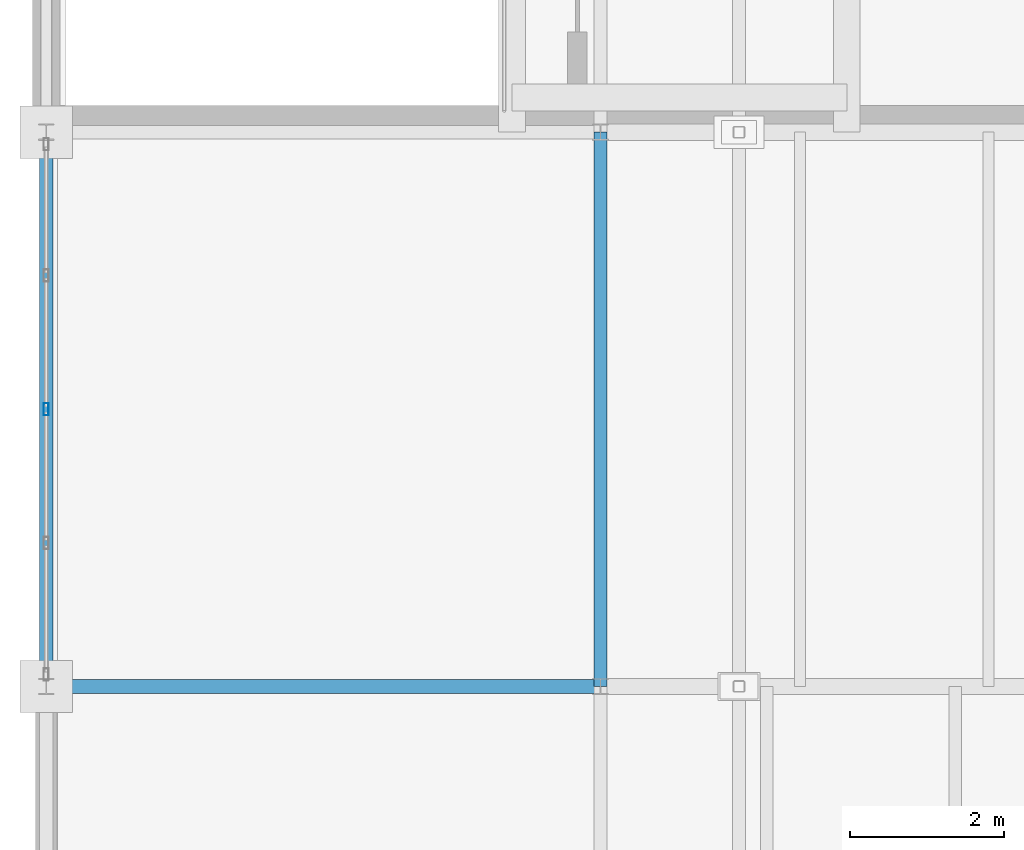
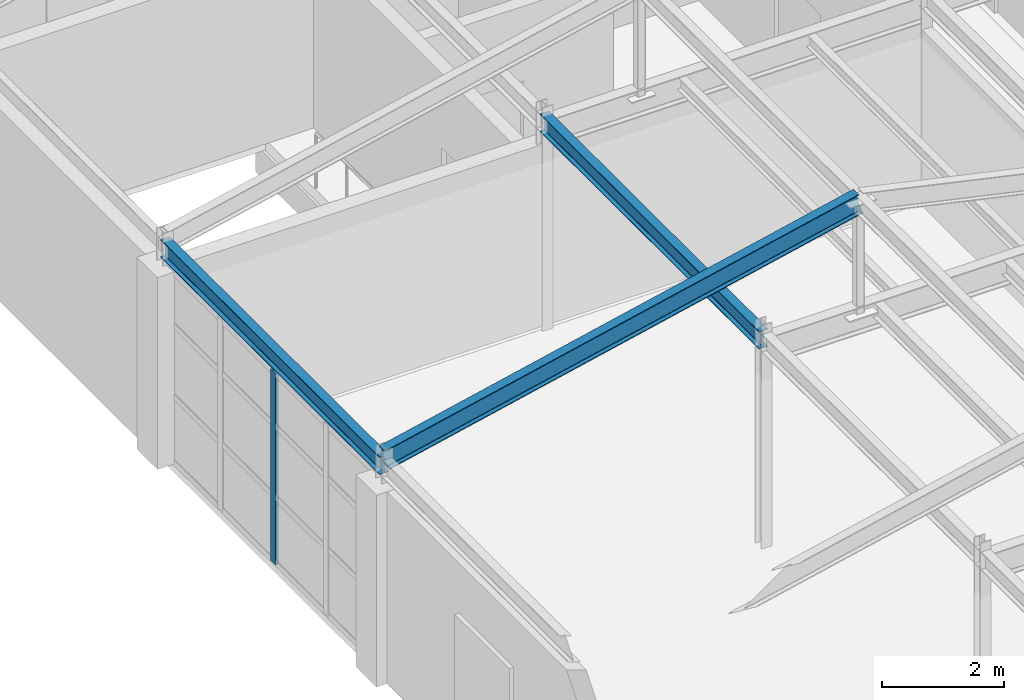
# One storey, part 24 of 43: 3 beams, 1 member, 1 element without a shape of its own.
"""IFC4 building model written with IfcOpenShell, lengths in metres."""

from ifc_helpers import new_model, si_unit, direction, frame, origin, origin_2d, place, context, subcontext, project, spatial, hollow_rectangle, i_section, extrude, material, layer, layer_set, material_profile, profile_set, type_object, element, aggregate, save


model = new_model("IFC4")

# Units and contexts
model_context = context("Model", 3, precision=1e-05, world=origin(), true_north=direction((0.0, 1.0)))
body_context = subcontext(model_context, "Body", "Model", "MODEL_VIEW")
ifc_project = project(units=[si_unit("LENGTHUNIT", "METRE"), si_unit("AREAUNIT", "SQUARE_METRE"), si_unit("VOLUMEUNIT", "CUBIC_METRE"), si_unit("PLANEANGLEUNIT", "RADIAN"), si_unit("MASSUNIT", "GRAM", prefix="KILO")], contexts=[model_context])

# Site, building, storey
site_placement = place(None, origin())
site = spatial("IfcSite", under=ifc_project, at=site_placement, CompositionType="ELEMENT")
building_placement = place(site_placement, origin())
building = spatial("IfcBuilding", under=site, at=building_placement, Name="Kemerveld Promenade Tramway Depot", CompositionType="ELEMENT")
storey_placement = place(building_placement, frame((0.0, 0.0, 18.89990234375)))
storey = spatial("IfcBuildingStorey", under=building, at=storey_placement, Name="L04", CompositionType="ELEMENT", Elevation=18.89990234375)

# Beams
ifc_material_1 = material(Name="Steel S355", Category="steel")
ifc_material_profile_1 = material_profile(ifc_material_1, i_section(OverallWidth=0.1787109375, OverallDepth=0.409423828125, WebThickness=0.0087890625, FlangeThickness=0.014404296875, FilletRadius=0.01025390625, at=origin_2d()), Name="406x178x67 UB")
ifc_profile_set_1 = profile_set([ifc_material_profile_1], Name="Steel S355")
beam_type_1 = type_object("IfcBeamType", Name="BM-G07", PredefinedType="BEAM", material=ifc_profile_set_1)
beam_placement = place(storey_placement, frame((0.0, 36.0, 4.275390625), z_axis=(0.976187060184, 0.0, 0.216930457819), x_axis=(0.0, 1.0, 0.0)))
element("IfcBeam", 1, at=beam_placement, inside=storey, type_object=beam_type_1, Name="RAF-V5-F-W", PredefinedType="BEAM", context=body_context, shape_type="SweptSolid", body=[
    extrude(i_section(OverallWidth=0.1787109375, OverallDepth=0.409423828125, WebThickness=0.0087890625, FlangeThickness=0.014404296875, FilletRadius=0.01025390625, at=origin_2d()), origin(), (0.0, 0.0, 1.0), 9.219482421875),
])
ifc_material_profile_2 = material_profile(ifc_material_1, i_section(OverallWidth=0.172119140625, OverallDepth=0.35791015625, WebThickness=0.008056640625, FlangeThickness=0.012939453125, FilletRadius=0.01025390625, at=origin_2d()), Name="356x171x57 UB")
ifc_profile_set_2 = profile_set([ifc_material_profile_2], Name="Steel S355")
beam_type_2 = type_object("IfcBeamType", Name="BM-G08", PredefinedType="BEAM", material=ifc_profile_set_2)
for number, where, z_axis, x_axis, name in (
    (2, (0.0, 36.0, 4.14111328125), (0.0, 1.0, 0.0), (-1.0, 0.0, 0.0), "BMY-L04-01-F-G"),
    (3, (7.199951171875, 36.0, 4.14111328125), (0.0, 1.0, 0.0), (-1.0, 0.0, 0.0), "BMY-L04-02-F-G"),
):
    element("IfcBeam", number, at=place(storey_placement, frame(where, z_axis=z_axis, x_axis=x_axis)), inside=storey, type_object=beam_type_2, Name=name, PredefinedType="BEAM", context=body_context, shape_type="SweptSolid", body=[
        extrude(i_section(OverallWidth=0.172119140625, OverallDepth=0.35791015625, WebThickness=0.008056640625, FlangeThickness=0.012939453125, FilletRadius=0.01025390625, at=origin_2d()), origin(), (0.0, 0.0, 1.0), 7.199951171875),
    ])

# Curtain wall, member
ifc_material_2 = material(Name="Bronze anodised aluminium and solar glass", Category="aluminium")
ifc_layer = layer(ifc_material_2, 0.159912109375)
ifc_layer_set = layer_set([ifc_layer], Name="CW-SYS-09")
curtain_wall_type = type_object("IfcCurtainWallType", Name="CW-SYS-09", PredefinedType="USERDEFINED", material=ifc_layer_set)
curtain_wall_placement = place(storey_placement, origin())
curtain_wall = element("IfcCurtainWall", 4, at=curtain_wall_placement, inside=storey, type_object=curtain_wall_type, Name="CW-L04-V5W-06", ObjectType="GLAZED_CURTAIN_WALL", PredefinedType="USERDEFINED")
ifc_material_3 = material(Name="Bronze anodised aluminium", Category="aluminium")
ifc_material_profile_3 = material_profile(ifc_material_3, hollow_rectangle(XDim=0.06494140625, YDim=0.159912109375, WallThickness=0.00390625, InnerFilletRadius=0.001953125, OuterFilletRadius=0.00390625, at=origin_2d()), Name="CW-MUL-160x65")
ifc_profile_set_3 = profile_set([ifc_material_profile_3], Name="Bronze anodised aluminium")
member_type = type_object("IfcMemberType", Name="CW-MUL-A", PredefinedType="MULLION", material=ifc_profile_set_3)
member_placement = place(storey_placement, frame((0.0, 39.60009765625, 0.0), z_axis=(0.0, 0.0, 1.0), x_axis=(-1.0, 0.0, 0.0)))
member = element("IfcMember", 5, at=member_placement, type_object=member_type, Name="CW09 mullion 3", PredefinedType="MULLION", context=body_context, shape_type="SweptSolid", body=[
    extrude(hollow_rectangle(XDim=0.06494140625, YDim=0.159912109375, WallThickness=0.00390625, InnerFilletRadius=0.001953125, OuterFilletRadius=0.00390625, at=origin_2d()), origin(), (0.0, 0.0, 1.0), 3.85009765625),
])
aggregate(curtain_wall, [member])

save(model, "model.ifc")
